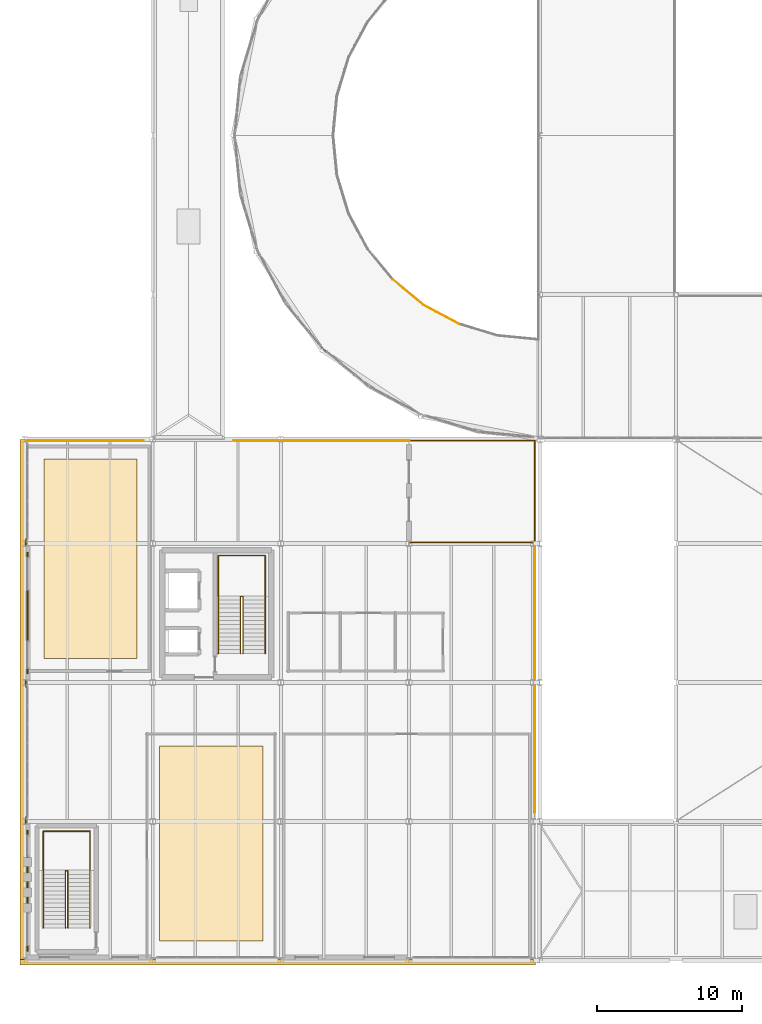
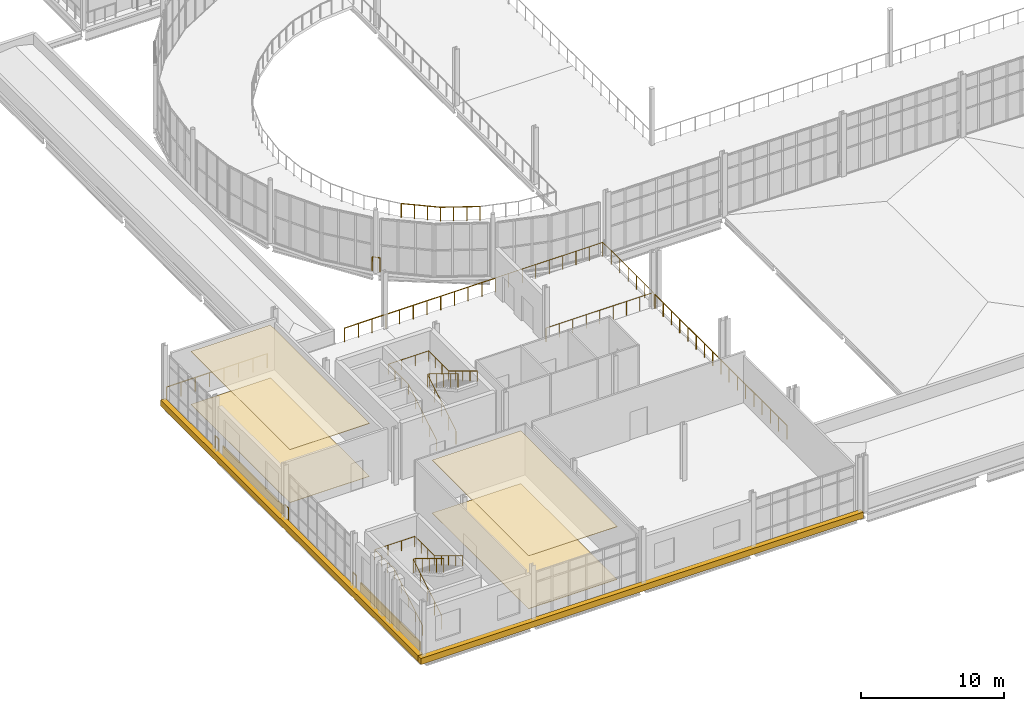
# One storey, part 102 of 112: 14 railings, 8 coverings.
"""IFC4 building model written with IfcOpenShell, lengths in metres."""

from ifc_helpers import new_model, si_unit, direction, frame, origin, origin_2d, place, context, subcontext, project, spatial, polyline, rectangle, circle, outline, extrude, material, layer, layer_set, type_object, element, save


model = new_model("IFC4")

# Units and contexts
model_context = context("Model", 3, precision=1e-05, world=origin(), true_north=direction((0.0, 1.0)))
body_context = subcontext(model_context, "Body", "Model", "MODEL_VIEW")
ifc_project = project(units=[si_unit("LENGTHUNIT", "METRE"), si_unit("AREAUNIT", "SQUARE_METRE"), si_unit("VOLUMEUNIT", "CUBIC_METRE"), si_unit("PLANEANGLEUNIT", "RADIAN"), si_unit("MASSUNIT", "GRAM", prefix="KILO")], contexts=[model_context])

# Site, building, storey
site_placement = place(None, origin())
site = spatial("IfcSite", under=ifc_project, at=site_placement, CompositionType="ELEMENT")
building_placement = place(site_placement, origin())
building = spatial("IfcBuilding", under=site, at=building_placement, Name="Yeouljin Market Hall", CompositionType="ELEMENT")
storey_placement = place(building_placement, frame((0.0, 0.0, 6.0)))
storey = spatial("IfcBuildingStorey", under=building, at=storey_placement, Name="L01", CompositionType="ELEMENT", Elevation=6.0)

# Coverings
ifc_material_1 = material(Name="Clinker Brick Masonry F2-S2", Category="masonry")
ifc_layer_1 = layer(ifc_material_1, 0.090087890625)
ifc_layer_set_1 = layer_set([ifc_layer_1], Name="Clinker Brick Masonry F2-S2")
covering_type_1 = type_object("IfcCoveringType", Name="Covering_Brick_FacadeCladding", PredefinedType="CLADDING", material=ifc_layer_set_1)
covering_1_placement = place(storey_placement, frame((0.199951171875, 4.824951171875, 0.074951171875), z_axis=(0.0, 0.0, 1.0), x_axis=(0.0, 1.0, 0.0)))
element("IfcCovering", 1, at=covering_1_placement, inside=storey, type_object=covering_type_1, Name="Muizentand clinker brick spandrel band L01-05", PredefinedType="CLADDING", context=body_context, shape_type="SweptSolid", body=[
    extrude(rectangle(XDim=8.35009765625, YDim=0.090087890625, at=origin_2d()), origin(), (0.0, 0.0, 1.0), 0.75),
])
covering_2_placement = place(storey_placement, frame((0.199951171875, 24.0, 0.074951171875), z_axis=(0.0, 0.0, 1.0), x_axis=(0.0, 1.0, 0.0)))
element("IfcCovering", 2, at=covering_2_placement, inside=storey, type_object=covering_type_1, Name="Muizentand clinker brick spandrel band L01-07", PredefinedType="CLADDING", context=body_context, shape_type="SweptSolid", body=[
    extrude(rectangle(XDim=8.39990234375, YDim=0.090087890625, at=origin_2d()), origin(), (0.0, 0.0, 1.0), 0.75),
])
ifc_material_2 = material(Name="Clinker Brick Masonry F2-S2", Category="masonry")
ifc_layer_2 = layer(ifc_material_2, 0.360107421875)
ifc_layer_set_2 = layer_set([ifc_layer_2], Name="Clinker Brick Masonry F2-S2")
covering_type_2 = type_object("IfcCoveringType", Name="Covering_Clinker_SpandrelHood", PredefinedType="CLADDING", material=ifc_layer_set_2)
covering_3_placement = place(storey_placement, frame((0.0, 0.0, -0.35009765625)))
element("IfcCovering", 3, at=covering_3_placement, inside=storey, type_object=covering_type_2, Name="Corbelled brick spandrel hood SW-01", PredefinedType="CLADDING", context=body_context, shape_type="SweptSolid", body=[
    extrude(outline(polyline([(-0.320068359375, -0.320068359375), (35.300048828125, -0.320068359375), (35.300048828125, 0.080078125), (-0.320068359375, 0.080078125), (-0.320068359375, -0.320068359375)])), origin(), (0.0, 0.0, 1.0), 0.52001953125),
])
covering_4_placement = place(storey_placement, frame((0.0, 0.0, -0.35009765625)))
element("IfcCovering", 4, at=covering_4_placement, inside=storey, type_object=covering_type_2, Name="Corbelled brick spandrel hood WW-03", PredefinedType="CLADDING", context=body_context, shape_type="SweptSolid", body=[
    extrude(outline(polyline([(-0.320068359375, 0.0), (0.080078125, 0.0), (0.080078125, 36.0), (-0.320068359375, 36.0), (-0.320068359375, 0.0)])), origin(), (0.0, 0.0, 1.0), 0.52001953125),
])
ifc_material_3 = material(Name="Polished Mineral Terrazzo Flooring")
ifc_layer_3 = layer(ifc_material_3, 0.030029296875)
ifc_layer_set_3 = layer_set([ifc_layer_3], Name="Polished Mineral Terrazzo Flooring")
covering_type_3 = type_object("IfcCoveringType", Name="Covering_Terrazzo_Flooring", PredefinedType="FLOORING", material=ifc_layer_set_3)
covering_5_placement = place(storey_placement, origin())
element("IfcCovering", 5, at=covering_5_placement, inside=storey, type_object=covering_type_3, Name="Polished terrazzo floor finish L01-03", PredefinedType="FLOORING", context=body_context, shape_type="SweptSolid", body=[
    extrude(outline(polyline([(16.449951171875, 1.35009765625), (16.449951171875, 14.800048828125), (9.31005859375, 14.800048828125), (9.31005859375, 1.35009765625), (16.449951171875, 1.35009765625)])), origin(), (0.0, 0.0, 1.0), 0.030029296875),
])
covering_6_placement = place(storey_placement, origin())
element("IfcCovering", 6, at=covering_6_placement, inside=storey, type_object=covering_type_3, Name="Polished terrazzo floor finish L01-04", PredefinedType="FLOORING", context=body_context, shape_type="SweptSolid", body=[
    extrude(outline(polyline([(7.75, 20.85009765625), (7.75, 34.64990234375), (1.35009765625, 34.64990234375), (1.35009765625, 20.85009765625), (7.75, 20.85009765625)])), origin(), (0.0, 0.0, 1.0), 0.030029296875),
])
ifc_material_4 = material(Name="Perforated Larch Acoustic Ceiling Baffle")
ifc_layer_4 = layer(ifc_material_4, 0.0400390625)
ifc_layer_set_4 = layer_set([ifc_layer_4], Name="Perforated Larch Acoustic Ceiling Baffle")
covering_type_4 = type_object("IfcCoveringType", Name="Covering_TimberAcoustic_Ceiling", PredefinedType="CEILING", material=ifc_layer_set_4)
covering_7_placement = place(storey_placement, frame((0.0, 0.0, 4.4951171875)))
element("IfcCovering", 7, at=covering_7_placement, inside=storey, type_object=covering_type_4, Name="Acoustic larch baffle ceiling L01-03", PredefinedType="CEILING", context=body_context, shape_type="SweptSolid", body=[
    extrude(outline(polyline([(16.449951171875, 1.35009765625), (16.449951171875, 14.800048828125), (9.31005859375, 14.800048828125), (9.31005859375, 1.35009765625), (16.449951171875, 1.35009765625)])), origin(), (0.0, 0.0, 1.0), 0.039794921875),
])
covering_8_placement = place(storey_placement, frame((0.0, 0.0, 4.4951171875)))
element("IfcCovering", 8, at=covering_8_placement, inside=storey, type_object=covering_type_4, Name="Acoustic larch baffle ceiling L01-04", PredefinedType="CEILING", context=body_context, shape_type="SweptSolid", body=[
    extrude(outline(polyline([(7.75, 20.85009765625), (7.75, 34.64990234375), (1.35009765625, 34.64990234375), (1.35009765625, 20.85009765625), (7.75, 20.85009765625)])), origin(), (0.0, 0.0, 1.0), 0.039794921875),
])

# Railings
ifc_material_5 = material(Name="Wrought Iron and Bronze Gallery Balustrade")
railing_type_1 = type_object("IfcRailingType", Name="Railing_AtriumBalustrade_1200", PredefinedType="BALUSTRADE", material=ifc_material_5)
railing_1_placement = place(storey_placement, frame((20.839599609375, 42.04296875, 0.0)))
element("IfcRailing", 9, at=railing_1_placement, inside=storey, type_object=railing_type_1, Name="Gallery & deck edge balustrade L01-066", PredefinedType="BALUSTRADE", context=body_context, shape_type="SweptSolid", body=[
    extrude(circle(Radius=0.02392578125, at=origin_2d()), frame((0.0, 0.0, 1.17578125), z_axis=(-0.706889109421, 0.707324385966, 0.0), x_axis=(-0.707324385966, -0.706889109421, 0.0)), (0.0, 0.0, 1.0), 0.560791015625),
    extrude(circle(Radius=0.02099609375, at=origin_2d()), origin(), (0.0, 0.0, 1.0), 1.15185546875),
    extrude(circle(Radius=0.02099609375, at=origin_2d()), frame((-0.396484375, 0.396728515625, 0.0)), (0.0, 0.0, 1.0), 1.15185546875),
])
railing_2_placement = place(storey_placement, frame((25.429443359375, 47.029296875, 0.0)))
element("IfcRailing", 10, at=railing_2_placement, inside=storey, type_object=railing_type_1, Name="Gallery & deck edge balustrade L01-124", PredefinedType="BALUSTRADE", context=body_context, shape_type="SweptSolid", body=[
    extrude(circle(Radius=0.02392578125, at=origin_2d()), frame((0.0, 0.0, 1.17578125), z_axis=(0.773035608999, -0.634362630693, 0.0), x_axis=(0.634362630693, 0.773035608999, 0.0)), (0.0, 0.0, 1.0), 2.76416015625),
    extrude(circle(Radius=0.02099609375, at=origin_2d()), origin(), (0.0, 0.0, 1.0), 1.15185546875),
    extrude(circle(Radius=0.02099609375, at=origin_2d()), frame((0.712158203125, -0.58447265625, 0.0)), (0.0, 0.0, 1.0), 1.15185546875),
    extrude(circle(Radius=0.02099609375, at=origin_2d()), frame((1.424560546875, -1.1689453125, 0.0)), (0.0, 0.0, 1.0), 1.15185546875),
    extrude(circle(Radius=0.02099609375, at=origin_2d()), frame((2.13671875, -1.75341796875, 0.0)), (0.0, 0.0, 1.0), 1.15185546875),
])
railing_3_placement = place(storey_placement, frame((27.566162109375, 45.27587890625, 0.0)))
element("IfcRailing", 11, at=railing_3_placement, inside=storey, type_object=railing_type_1, Name="Gallery & deck edge balustrade L01-125", PredefinedType="BALUSTRADE", context=body_context, shape_type="SweptSolid", body=[
    extrude(circle(Radius=0.02392578125, at=origin_2d()), frame((0.0, 0.0, 1.17578125), z_axis=(0.88192470469, -0.471390300343, 0.0), x_axis=(0.471390300343, 0.88192470469, 0.0)), (0.0, 0.0, 1.0), 2.76416015625),
    extrude(circle(Radius=0.02099609375, at=origin_2d()), origin(), (0.0, 0.0, 1.0), 1.15185546875),
    extrude(circle(Radius=0.02099609375, at=origin_2d()), frame((0.8125, -0.434326171875, 0.0)), (0.0, 0.0, 1.0), 1.15185546875),
    extrude(circle(Radius=0.02099609375, at=origin_2d()), frame((1.625244140625, -0.86865234375, 0.0)), (0.0, 0.0, 1.0), 1.15185546875),
    extrude(circle(Radius=0.02099609375, at=origin_2d()), frame((2.437744140625, -1.302978515625, 0.0)), (0.0, 0.0, 1.0), 1.15185546875),
])
railing_4_placement = place(storey_placement, frame((35.219970703125, 28.60009765625, 0.0)))
element("IfcRailing", 12, at=railing_4_placement, inside=storey, type_object=railing_type_1, Name="Gallery & deck edge balustrade L01-145", PredefinedType="BALUSTRADE", context=body_context, shape_type="SweptSolid", body=[
    extrude(circle(Radius=0.02392578125, at=origin_2d()), frame((0.0, 0.0, 1.17578125), z_axis=(0.0, -1.0, 0.0), x_axis=(1.0, 0.0, 0.0)), (0.0, 0.0, 1.0), 18.3759765625),
    extrude(circle(Radius=0.02099609375, at=origin_2d()), origin(), (0.0, 0.0, 1.0), 1.15185546875),
    extrude(circle(Radius=0.02099609375, at=origin_2d()), frame((0.0, -1.1484375, 0.0)), (0.0, 0.0, 1.0), 1.15185546875),
    extrude(circle(Radius=0.02099609375, at=origin_2d()), frame((0.0, -2.296875, 0.0)), (0.0, 0.0, 1.0), 1.15185546875),
    extrude(circle(Radius=0.02099609375, at=origin_2d()), frame((0.0, -3.445556640625, 0.0)), (0.0, 0.0, 1.0), 1.15185546875),
    extrude(circle(Radius=0.02099609375, at=origin_2d()), frame((0.0, -4.593994140625, 0.0)), (0.0, 0.0, 1.0), 1.15185546875),
    extrude(circle(Radius=0.02099609375, at=origin_2d()), frame((0.0, -5.742431640625, 0.0)), (0.0, 0.0, 1.0), 1.15185546875),
    extrude(circle(Radius=0.02099609375, at=origin_2d()), frame((0.0, -6.89111328125, 0.0)), (0.0, 0.0, 1.0), 1.15185546875),
    extrude(circle(Radius=0.02099609375, at=origin_2d()), frame((0.0, -8.03955078125, 0.0)), (0.0, 0.0, 1.0), 1.15185546875),
    extrude(circle(Radius=0.02099609375, at=origin_2d()), frame((0.0, -9.18798828125, 0.0)), (0.0, 0.0, 1.0), 1.15185546875),
    extrude(circle(Radius=0.02099609375, at=origin_2d()), frame((0.0, -10.33642578125, 0.0)), (0.0, 0.0, 1.0), 1.15185546875),
    extrude(circle(Radius=0.02099609375, at=origin_2d()), frame((0.0, -11.48486328125, 0.0)), (0.0, 0.0, 1.0), 1.15185546875),
    extrude(circle(Radius=0.02099609375, at=origin_2d()), frame((0.0, -12.633544921875, 0.0)), (0.0, 0.0, 1.0), 1.15185546875),
    extrude(circle(Radius=0.02099609375, at=origin_2d()), frame((0.0, -13.781982421875, 0.0)), (0.0, 0.0, 1.0), 1.15185546875),
    extrude(circle(Radius=0.02099609375, at=origin_2d()), frame((0.0, -14.930419921875, 0.0)), (0.0, 0.0, 1.0), 1.15185546875),
    extrude(circle(Radius=0.02099609375, at=origin_2d()), frame((0.0, -16.0791015625, 0.0)), (0.0, 0.0, 1.0), 1.15185546875),
    extrude(circle(Radius=0.02099609375, at=origin_2d()), frame((0.0, -17.2275390625, 0.0)), (0.0, 0.0, 1.0), 1.15185546875),
    extrude(circle(Radius=0.02099609375, at=origin_2d()), frame((0.0, -18.3759765625, 0.0)), (0.0, 0.0, 1.0), 1.15185546875),
])
railing_5_placement = place(storey_placement, frame((0.10009765625, 9.41796875, 0.0)))
element("IfcRailing", 13, at=railing_5_placement, inside=storey, type_object=railing_type_1, Name="Gallery & deck edge balustrade L01-146", PredefinedType="BALUSTRADE", context=body_context, shape_type="SweptSolid", body=[
    extrude(circle(Radius=0.02392578125, at=origin_2d()), frame((0.0, 0.0, 1.17578125), z_axis=(0.0, 1.0, 0.0), x_axis=(-1.0, 0.0, 0.0)), (0.0, 0.0, 1.0), 0.48193359375),
    extrude(circle(Radius=0.02099609375, at=origin_2d()), origin(), (0.0, 0.0, 1.0), 1.15185546875),
    extrude(circle(Radius=0.02099609375, at=origin_2d()), frame((0.0, 0.48193359375, 0.0)), (0.0, 0.0, 1.0), 1.15185546875),
])
for number, where, name in (
    (14, (0.10009765625, 18.89990234375, 0.0), "Gallery & deck edge balustrade L01-147"),
    (15, (0.10009765625, 28.617919921875, 0.0), "Gallery & deck edge balustrade L01-148"),
):
    element("IfcRailing", number, at=place(storey_placement, frame(where)), inside=storey, type_object=railing_type_1, Name=name, PredefinedType="BALUSTRADE", context=body_context, shape_type="SweptSolid", body=[
        extrude(circle(Radius=0.02392578125, at=origin_2d()), frame((0.0, 0.0, 1.17578125), z_axis=(0.0, 1.0, 0.0), x_axis=(-1.0, 0.0, 0.0)), (0.0, 0.0, 1.0), 0.482177734375),
        extrude(circle(Radius=0.02099609375, at=origin_2d()), origin(), (0.0, 0.0, 1.0), 1.15185546875),
        extrude(circle(Radius=0.02099609375, at=origin_2d()), frame((0.0, 0.482177734375, 0.0)), (0.0, 0.0, 1.0), 1.15185546875),
    ])
railing_6_placement = place(storey_placement, frame((0.10009765625, 35.89990234375, 0.0)))
element("IfcRailing", 16, at=railing_6_placement, inside=storey, type_object=railing_type_1, Name="Gallery & deck edge balustrade L01-149", PredefinedType="BALUSTRADE", context=body_context, shape_type="SweptSolid", body=[
    extrude(circle(Radius=0.02392578125, at=origin_2d()), frame((0.0, 0.0, 1.17578125), z_axis=(1.0, 0.0, 0.0), x_axis=(0.0, 1.0, 0.0)), (0.0, 0.0, 1.0), 8.1083984375),
    extrude(circle(Radius=0.02099609375, at=origin_2d()), origin(), (0.0, 0.0, 1.0), 1.15185546875),
    extrude(circle(Radius=0.02099609375, at=origin_2d()), frame((1.158447265625, 0.0, 0.0)), (0.0, 0.0, 1.0), 1.15185546875),
    extrude(circle(Radius=0.02099609375, at=origin_2d()), frame((2.316650390625, 0.0, 0.0)), (0.0, 0.0, 1.0), 1.15185546875),
    extrude(circle(Radius=0.02099609375, at=origin_2d()), frame((3.47509765625, 0.0, 0.0)), (0.0, 0.0, 1.0), 1.15185546875),
    extrude(circle(Radius=0.02099609375, at=origin_2d()), frame((4.63330078125, 0.0, 0.0)), (0.0, 0.0, 1.0), 1.15185546875),
    extrude(circle(Radius=0.02099609375, at=origin_2d()), frame((5.791748046875, 0.0, 0.0)), (0.0, 0.0, 1.0), 1.15185546875),
    extrude(circle(Radius=0.02099609375, at=origin_2d()), frame((6.949951171875, 0.0, 0.0)), (0.0, 0.0, 1.0), 1.15185546875),
    extrude(circle(Radius=0.02099609375, at=origin_2d()), frame((8.1083984375, 0.0, 0.0)), (0.0, 0.0, 1.0), 1.15185546875),
])
railing_7_placement = place(storey_placement, frame((14.44140625, 35.89990234375, 0.0)))
element("IfcRailing", 17, at=railing_7_placement, inside=storey, type_object=railing_type_1, Name="Gallery & deck edge balustrade L01-150", PredefinedType="BALUSTRADE", context=body_context, shape_type="SweptSolid", body=[
    extrude(circle(Radius=0.02392578125, at=origin_2d()), frame((0.0, 0.0, 1.17578125), z_axis=(1.0, 0.0, 0.0), x_axis=(0.0, 1.0, 0.0)), (0.0, 0.0, 1.0), 12.15869140625),
    extrude(circle(Radius=0.02099609375, at=origin_2d()), origin(), (0.0, 0.0, 1.0), 1.15185546875),
    extrude(circle(Radius=0.02099609375, at=origin_2d()), frame((1.105224609375, 0.0, 0.0)), (0.0, 0.0, 1.0), 1.15185546875),
    extrude(circle(Radius=0.02099609375, at=origin_2d()), frame((2.210693359375, 0.0, 0.0)), (0.0, 0.0, 1.0), 1.15185546875),
    extrude(circle(Radius=0.02099609375, at=origin_2d()), frame((3.31591796875, 0.0, 0.0)), (0.0, 0.0, 1.0), 1.15185546875),
    extrude(circle(Radius=0.02099609375, at=origin_2d()), frame((4.42138671875, 0.0, 0.0)), (0.0, 0.0, 1.0), 1.15185546875),
    extrude(circle(Radius=0.02099609375, at=origin_2d()), frame((5.526611328125, 0.0, 0.0)), (0.0, 0.0, 1.0), 1.15185546875),
    extrude(circle(Radius=0.02099609375, at=origin_2d()), frame((6.632080078125, 0.0, 0.0)), (0.0, 0.0, 1.0), 1.15185546875),
    extrude(circle(Radius=0.02099609375, at=origin_2d()), frame((7.7373046875, 0.0, 0.0)), (0.0, 0.0, 1.0), 1.15185546875),
    extrude(circle(Radius=0.02099609375, at=origin_2d()), frame((8.8427734375, 0.0, 0.0)), (0.0, 0.0, 1.0), 1.15185546875),
    extrude(circle(Radius=0.02099609375, at=origin_2d()), frame((9.947998046875, 0.0, 0.0)), (0.0, 0.0, 1.0), 1.15185546875),
    extrude(circle(Radius=0.02099609375, at=origin_2d()), frame((11.053466796875, 0.0, 0.0)), (0.0, 0.0, 1.0), 1.15185546875),
    extrude(circle(Radius=0.02099609375, at=origin_2d()), frame((12.15869140625, 0.0, 0.0)), (0.0, 0.0, 1.0), 1.15185546875),
])
ifc_material_6 = material(Name="Painted Steel Stair Guardrail", Category="steel")
railing_type_2 = type_object("IfcRailingType", Name="Railing_StairGuard_1200", PredefinedType="GUARDRAIL", material=ifc_material_6)
railing_8_placement = place(storey_placement, frame((14.919921875, 21.199951171875, 0.0)))
element("IfcRailing", 18, at=railing_8_placement, inside=storey, type_object=railing_type_2, Name="Stair ST-C1-L01 inner well guardrail", PredefinedType="GUARDRAIL", context=body_context, shape_type="SweptSolid", body=[
    extrude(circle(Radius=0.02392578125, at=origin_2d()), frame((0.0, 0.0, 1.17578125), z_axis=(0.0, 0.854622603422, 0.519249656446), x_axis=(-1.0, 0.0, 0.0)), (0.0, 0.0, 1.0), 4.621826171875),
    extrude(circle(Radius=0.02392578125, at=origin_2d()), frame((0.0, 3.949951171875, 3.57568359375), z_axis=(1.0, 0.0, 0.0), x_axis=(0.0, 1.0, 0.0)), (0.0, 0.0, 1.0), 0.16015625),
    extrude(circle(Radius=0.02392578125, at=origin_2d()), frame((0.16015625, 3.949951171875, 3.57568359375), z_axis=(0.0, -0.854599162348, 0.519288235679), x_axis=(1.0, 0.0, 0.0)), (0.0, 0.0, 1.0), 4.6220703125),
    extrude(circle(Radius=0.02099609375, at=origin_2d()), origin(), (0.0, 0.0, 1.0), 1.15185546875),
    extrude(circle(Radius=0.02099609375, at=origin_2d()), frame((0.0, 0.987548828125, 0.60009765625)), (0.0, 0.0, 1.0), 1.15185546875),
    extrude(circle(Radius=0.02099609375, at=origin_2d()), frame((0.0, 1.97509765625, 1.199951171875)), (0.0, 0.0, 1.0), 1.15185546875),
    extrude(circle(Radius=0.02099609375, at=origin_2d()), frame((0.0, 2.96240234375, 1.7998046875)), (0.0, 0.0, 1.0), 1.15185546875),
    extrude(circle(Radius=0.02099609375, at=origin_2d()), frame((0.0, 3.949951171875, 2.39990234375)), (0.0, 0.0, 1.0), 1.15185546875),
    extrude(circle(Radius=0.02099609375, at=origin_2d()), frame((0.16015625, 3.949951171875, 2.39990234375)), (0.0, 0.0, 1.0), 1.15185546875),
    extrude(circle(Radius=0.02099609375, at=origin_2d()), frame((0.16015625, 2.96240234375, 3.0)), (0.0, 0.0, 1.0), 1.15185546875),
    extrude(circle(Radius=0.02099609375, at=origin_2d()), frame((0.16015625, 1.97509765625, 3.60009765625)), (0.0, 0.0, 1.0), 1.15185546875),
    extrude(circle(Radius=0.02099609375, at=origin_2d()), frame((0.16015625, 0.987548828125, 4.199951171875)), (0.0, 0.0, 1.0), 1.15185546875),
    extrude(circle(Radius=0.02099609375, at=origin_2d()), frame((0.16015625, 0.0, 4.800048828125)), (0.0, 0.0, 1.0), 1.15185546875),
])
railing_9_placement = place(storey_placement, frame((2.820068359375, 2.25, 0.0)))
element("IfcRailing", 19, at=railing_9_placement, inside=storey, type_object=railing_type_2, Name="Stair ST-S7-L01 inner well guardrail", PredefinedType="GUARDRAIL", context=body_context, shape_type="SweptSolid", body=[
    extrude(circle(Radius=0.02392578125, at=origin_2d()), frame((0.0, 0.0, 1.17578125), z_axis=(0.0, 0.854622603422, 0.519249656446), x_axis=(-1.0, 0.0, 0.0)), (0.0, 0.0, 1.0), 4.621826171875),
    extrude(circle(Radius=0.02392578125, at=origin_2d()), frame((0.0, 3.949951171875, 3.57568359375), z_axis=(1.0, 0.0, 0.0), x_axis=(0.0, 1.0, 0.0)), (0.0, 0.0, 1.0), 0.159912109375),
    extrude(circle(Radius=0.02392578125, at=origin_2d()), frame((0.159912109375, 3.949951171875, 3.57568359375), z_axis=(0.0, -0.854599162348, 0.519288235679), x_axis=(1.0, 0.0, 0.0)), (0.0, 0.0, 1.0), 4.6220703125),
    extrude(circle(Radius=0.02099609375, at=origin_2d()), origin(), (0.0, 0.0, 1.0), 1.15185546875),
    extrude(circle(Radius=0.02099609375, at=origin_2d()), frame((0.0, 0.987548828125, 0.60009765625)), (0.0, 0.0, 1.0), 1.15185546875),
    extrude(circle(Radius=0.02099609375, at=origin_2d()), frame((0.0, 1.97509765625, 1.199951171875)), (0.0, 0.0, 1.0), 1.15185546875),
    extrude(circle(Radius=0.02099609375, at=origin_2d()), frame((0.0, 2.96240234375, 1.7998046875)), (0.0, 0.0, 1.0), 1.15185546875),
    extrude(circle(Radius=0.02099609375, at=origin_2d()), frame((0.0, 3.949951171875, 2.39990234375)), (0.0, 0.0, 1.0), 1.15185546875),
    extrude(circle(Radius=0.02099609375, at=origin_2d()), frame((0.159912109375, 3.949951171875, 2.39990234375)), (0.0, 0.0, 1.0), 1.15185546875),
    extrude(circle(Radius=0.02099609375, at=origin_2d()), frame((0.159912109375, 2.96240234375, 3.0)), (0.0, 0.0, 1.0), 1.15185546875),
    extrude(circle(Radius=0.02099609375, at=origin_2d()), frame((0.159912109375, 1.97509765625, 3.60009765625)), (0.0, 0.0, 1.0), 1.15185546875),
    extrude(circle(Radius=0.02099609375, at=origin_2d()), frame((0.159912109375, 0.987548828125, 4.199951171875)), (0.0, 0.0, 1.0), 1.15185546875),
    extrude(circle(Radius=0.02099609375, at=origin_2d()), frame((0.159912109375, 0.0, 4.800048828125)), (0.0, 0.0, 1.0), 1.15185546875),
])
ifc_material_7 = material(Name="Brushed Stainless Steel", Category="steel")
railing_type_3 = type_object("IfcRailingType", Name="Railing_StairHandrail_900", PredefinedType="HANDRAIL", material=ifc_material_7)
railing_10_placement = place(storey_placement, frame((13.3798828125, 21.199951171875, 0.0)))
element("IfcRailing", 20, at=railing_10_placement, inside=storey, type_object=railing_type_3, Name="Stair ST-C1-L01 wall handrail", PredefinedType="HANDRAIL", context=body_context, shape_type="SweptSolid", body=[
    extrude(circle(Radius=0.02392578125, at=origin_2d()), frame((0.0, 0.0, 0.8759765625), z_axis=(0.0, 0.854622603422, 0.519249656446), x_axis=(-1.0, 0.0, 0.0)), (0.0, 0.0, 1.0), 4.621826171875),
    extrude(circle(Radius=0.02392578125, at=origin_2d()), frame((0.0, 3.949951171875, 3.27587890625), z_axis=(0.0, 1.0, 0.0), x_axis=(-1.0, 0.0, 0.0)), (0.0, 0.0, 1.0), 2.820068359375),
    extrude(circle(Radius=0.02392578125, at=origin_2d()), frame((0.0, 6.77001953125, 3.27587890625), z_axis=(1.0, 0.0, 0.0), x_axis=(0.0, 1.0, 0.0)), (0.0, 0.0, 1.0), 3.240234375),
    extrude(circle(Radius=0.02392578125, at=origin_2d()), frame((3.240234375, 6.77001953125, 3.27587890625), z_axis=(0.0, -1.0, 0.0), x_axis=(1.0, 0.0, 0.0)), (0.0, 0.0, 1.0), 2.820068359375),
    extrude(circle(Radius=0.02392578125, at=origin_2d()), frame((3.240234375, 3.949951171875, 3.27587890625), z_axis=(0.0, -0.854599162348, 0.519288235679), x_axis=(1.0, 0.0, 0.0)), (0.0, 0.0, 1.0), 4.6220703125),
    extrude(circle(Radius=0.02099609375, at=origin_2d()), origin(), (0.0, 0.0, 1.0), 0.851806640625),
    extrude(circle(Radius=0.02099609375, at=origin_2d()), frame((0.0, 0.987548828125, 0.60009765625)), (0.0, 0.0, 1.0), 0.851806640625),
    extrude(circle(Radius=0.02099609375, at=origin_2d()), frame((0.0, 1.97509765625, 1.199951171875)), (0.0, 0.0, 1.0), 0.851806640625),
    extrude(circle(Radius=0.02099609375, at=origin_2d()), frame((0.0, 2.96240234375, 1.7998046875)), (0.0, 0.0, 1.0), 0.851806640625),
    extrude(circle(Radius=0.02099609375, at=origin_2d()), frame((0.0, 3.949951171875, 2.39990234375)), (0.0, 0.0, 1.0), 0.851806640625),
    extrude(circle(Radius=0.02099609375, at=origin_2d()), frame((0.0, 4.889892578125, 2.39990234375)), (0.0, 0.0, 1.0), 0.851806640625),
    extrude(circle(Radius=0.02099609375, at=origin_2d()), frame((0.0, 5.830078125, 2.39990234375)), (0.0, 0.0, 1.0), 0.851806640625),
    extrude(circle(Radius=0.02099609375, at=origin_2d()), frame((0.0, 6.77001953125, 2.39990234375)), (0.0, 0.0, 1.0), 0.851806640625),
    extrude(circle(Radius=0.02099609375, at=origin_2d()), frame((1.080078125, 6.77001953125, 2.39990234375)), (0.0, 0.0, 1.0), 0.851806640625),
    extrude(circle(Radius=0.02099609375, at=origin_2d()), frame((2.16015625, 6.77001953125, 2.39990234375)), (0.0, 0.0, 1.0), 0.851806640625),
    extrude(circle(Radius=0.02099609375, at=origin_2d()), frame((3.240234375, 6.77001953125, 2.39990234375)), (0.0, 0.0, 1.0), 0.851806640625),
    extrude(circle(Radius=0.02099609375, at=origin_2d()), frame((3.240234375, 5.830078125, 2.39990234375)), (0.0, 0.0, 1.0), 0.851806640625),
    extrude(circle(Radius=0.02099609375, at=origin_2d()), frame((3.240234375, 4.889892578125, 2.39990234375)), (0.0, 0.0, 1.0), 0.851806640625),
    extrude(circle(Radius=0.02099609375, at=origin_2d()), frame((3.240234375, 3.949951171875, 2.39990234375)), (0.0, 0.0, 1.0), 0.851806640625),
    extrude(circle(Radius=0.02099609375, at=origin_2d()), frame((3.240234375, 2.96240234375, 3.0)), (0.0, 0.0, 1.0), 0.851806640625),
    extrude(circle(Radius=0.02099609375, at=origin_2d()), frame((3.240234375, 1.97509765625, 3.60009765625)), (0.0, 0.0, 1.0), 0.851806640625),
    extrude(circle(Radius=0.02099609375, at=origin_2d()), frame((3.240234375, 0.987548828125, 4.199951171875)), (0.0, 0.0, 1.0), 0.851806640625),
    extrude(circle(Radius=0.02099609375, at=origin_2d()), frame((3.240234375, 0.0, 4.800048828125)), (0.0, 0.0, 1.0), 0.851806640625),
])
railing_11_placement = place(storey_placement, frame((1.280029296875, 2.25, 0.0)))
element("IfcRailing", 21, at=railing_11_placement, inside=storey, type_object=railing_type_3, Name="Stair ST-S7-L01 wall handrail", PredefinedType="HANDRAIL", context=body_context, shape_type="SweptSolid", body=[
    extrude(circle(Radius=0.02392578125, at=origin_2d()), frame((0.0, 0.0, 0.8759765625), z_axis=(0.0, 0.854622603422, 0.519249656446), x_axis=(-1.0, 0.0, 0.0)), (0.0, 0.0, 1.0), 4.621826171875),
    extrude(circle(Radius=0.02392578125, at=origin_2d()), frame((0.0, 3.949951171875, 3.27587890625), z_axis=(0.0, 1.0, 0.0), x_axis=(-1.0, 0.0, 0.0)), (0.0, 0.0, 1.0), 2.719970703125),
    extrude(circle(Radius=0.02392578125, at=origin_2d()), frame((0.0, 6.669921875, 3.27587890625), z_axis=(1.0, 0.0, 0.0), x_axis=(0.0, 1.0, 0.0)), (0.0, 0.0, 1.0), 3.239990234375),
    extrude(circle(Radius=0.02392578125, at=origin_2d()), frame((3.239990234375, 6.669921875, 3.27587890625), z_axis=(0.0, -1.0, 0.0), x_axis=(1.0, 0.0, 0.0)), (0.0, 0.0, 1.0), 2.719970703125),
    extrude(circle(Radius=0.02392578125, at=origin_2d()), frame((3.239990234375, 3.949951171875, 3.27587890625), z_axis=(0.0, -0.854599162348, 0.519288235679), x_axis=(1.0, 0.0, 0.0)), (0.0, 0.0, 1.0), 4.6220703125),
    extrude(circle(Radius=0.02099609375, at=origin_2d()), origin(), (0.0, 0.0, 1.0), 0.851806640625),
    extrude(circle(Radius=0.02099609375, at=origin_2d()), frame((0.0, 0.987548828125, 0.60009765625)), (0.0, 0.0, 1.0), 0.851806640625),
    extrude(circle(Radius=0.02099609375, at=origin_2d()), frame((0.0, 1.97509765625, 1.199951171875)), (0.0, 0.0, 1.0), 0.851806640625),
    extrude(circle(Radius=0.02099609375, at=origin_2d()), frame((0.0, 2.96240234375, 1.7998046875)), (0.0, 0.0, 1.0), 0.851806640625),
    extrude(circle(Radius=0.02099609375, at=origin_2d()), frame((0.0, 3.949951171875, 2.39990234375)), (0.0, 0.0, 1.0), 0.851806640625),
    extrude(circle(Radius=0.02099609375, at=origin_2d()), frame((0.0, 4.856689453125, 2.39990234375)), (0.0, 0.0, 1.0), 0.851806640625),
    extrude(circle(Radius=0.02099609375, at=origin_2d()), frame((0.0, 5.76318359375, 2.39990234375)), (0.0, 0.0, 1.0), 0.851806640625),
    extrude(circle(Radius=0.02099609375, at=origin_2d()), frame((0.0, 6.669921875, 2.39990234375)), (0.0, 0.0, 1.0), 0.851806640625),
    extrude(circle(Radius=0.02099609375, at=origin_2d()), frame((1.080078125, 6.669921875, 2.39990234375)), (0.0, 0.0, 1.0), 0.851806640625),
    extrude(circle(Radius=0.02099609375, at=origin_2d()), frame((2.159912109375, 6.669921875, 2.39990234375)), (0.0, 0.0, 1.0), 0.851806640625),
    extrude(circle(Radius=0.02099609375, at=origin_2d()), frame((3.239990234375, 6.669921875, 2.39990234375)), (0.0, 0.0, 1.0), 0.851806640625),
    extrude(circle(Radius=0.02099609375, at=origin_2d()), frame((3.239990234375, 5.76318359375, 2.39990234375)), (0.0, 0.0, 1.0), 0.851806640625),
    extrude(circle(Radius=0.02099609375, at=origin_2d()), frame((3.239990234375, 4.856689453125, 2.39990234375)), (0.0, 0.0, 1.0), 0.851806640625),
    extrude(circle(Radius=0.02099609375, at=origin_2d()), frame((3.239990234375, 3.949951171875, 2.39990234375)), (0.0, 0.0, 1.0), 0.851806640625),
    extrude(circle(Radius=0.02099609375, at=origin_2d()), frame((3.239990234375, 2.96240234375, 3.0)), (0.0, 0.0, 1.0), 0.851806640625),
    extrude(circle(Radius=0.02099609375, at=origin_2d()), frame((3.239990234375, 1.97509765625, 3.60009765625)), (0.0, 0.0, 1.0), 0.851806640625),
    extrude(circle(Radius=0.02099609375, at=origin_2d()), frame((3.239990234375, 0.987548828125, 4.199951171875)), (0.0, 0.0, 1.0), 0.851806640625),
    extrude(circle(Radius=0.02099609375, at=origin_2d()), frame((3.239990234375, 0.0, 4.800048828125)), (0.0, 0.0, 1.0), 0.851806640625),
])
ifc_material_8 = material(Name="Architectural Bronze Balustrade")
railing_type_4 = type_object("IfcRailingType", Name="Railing_TerraceGuard_1200", PredefinedType="GUARDRAIL", material=ifc_material_8)
railing_12_placement = place(storey_placement, frame((26.60009765625, 28.8798828125, 0.0)))
element("IfcRailing", 22, at=railing_12_placement, inside=storey, type_object=railing_type_4, Name="West promenade terrace guardrail L01", PredefinedType="GUARDRAIL", context=body_context, shape_type="SweptSolid", body=[
    extrude(circle(Radius=0.02392578125, at=origin_2d()), frame((0.0, 0.0, 1.17578125), z_axis=(1.0, 0.0, 0.0), x_axis=(0.0, 1.0, 0.0)), (0.0, 0.0, 1.0), 8.639892578125),
    extrude(circle(Radius=0.02392578125, at=origin_2d()), frame((8.639892578125, 0.0, 1.17578125), z_axis=(0.0, 1.0, 0.0), x_axis=(-1.0, 0.0, 0.0)), (0.0, 0.0, 1.0), 7.0400390625),
    extrude(circle(Radius=0.02392578125, at=origin_2d()), frame((8.639892578125, 7.0400390625, 1.17578125), z_axis=(-1.0, 0.0, 0.0), x_axis=(0.0, -1.0, 0.0)), (0.0, 0.0, 1.0), 8.639892578125),
    extrude(circle(Radius=0.02099609375, at=origin_2d()), origin(), (0.0, 0.0, 1.0), 1.15185546875),
    extrude(circle(Radius=0.02099609375, at=origin_2d()), frame((1.080078125, 0.0, 0.0)), (0.0, 0.0, 1.0), 1.15185546875),
    extrude(circle(Radius=0.02099609375, at=origin_2d()), frame((2.159912109375, 0.0, 0.0)), (0.0, 0.0, 1.0), 1.15185546875),
    extrude(circle(Radius=0.02099609375, at=origin_2d()), frame((3.239990234375, 0.0, 0.0)), (0.0, 0.0, 1.0), 1.15185546875),
    extrude(circle(Radius=0.02099609375, at=origin_2d()), frame((4.31982421875, 0.0, 0.0)), (0.0, 0.0, 1.0), 1.15185546875),
    extrude(circle(Radius=0.02099609375, at=origin_2d()), frame((5.39990234375, 0.0, 0.0)), (0.0, 0.0, 1.0), 1.15185546875),
    extrude(circle(Radius=0.02099609375, at=origin_2d()), frame((6.47998046875, 0.0, 0.0)), (0.0, 0.0, 1.0), 1.15185546875),
    extrude(circle(Radius=0.02099609375, at=origin_2d()), frame((7.559814453125, 0.0, 0.0)), (0.0, 0.0, 1.0), 1.15185546875),
    extrude(circle(Radius=0.02099609375, at=origin_2d()), frame((8.639892578125, 0.0, 0.0)), (0.0, 0.0, 1.0), 1.15185546875),
    extrude(circle(Radius=0.02099609375, at=origin_2d()), frame((8.639892578125, 1.17333984375, 0.0)), (0.0, 0.0, 1.0), 1.15185546875),
    extrude(circle(Radius=0.02099609375, at=origin_2d()), frame((8.639892578125, 2.3466796875, 0.0)), (0.0, 0.0, 1.0), 1.15185546875),
    extrude(circle(Radius=0.02099609375, at=origin_2d()), frame((8.639892578125, 3.52001953125, 0.0)), (0.0, 0.0, 1.0), 1.15185546875),
    extrude(circle(Radius=0.02099609375, at=origin_2d()), frame((8.639892578125, 4.693359375, 0.0)), (0.0, 0.0, 1.0), 1.15185546875),
    extrude(circle(Radius=0.02099609375, at=origin_2d()), frame((8.639892578125, 5.86669921875, 0.0)), (0.0, 0.0, 1.0), 1.15185546875),
    extrude(circle(Radius=0.02099609375, at=origin_2d()), frame((8.639892578125, 7.0400390625, 0.0)), (0.0, 0.0, 1.0), 1.15185546875),
    extrude(circle(Radius=0.02099609375, at=origin_2d()), frame((7.559814453125, 7.0400390625, 0.0)), (0.0, 0.0, 1.0), 1.15185546875),
    extrude(circle(Radius=0.02099609375, at=origin_2d()), frame((6.47998046875, 7.0400390625, 0.0)), (0.0, 0.0, 1.0), 1.15185546875),
    extrude(circle(Radius=0.02099609375, at=origin_2d()), frame((5.39990234375, 7.0400390625, 0.0)), (0.0, 0.0, 1.0), 1.15185546875),
    extrude(circle(Radius=0.02099609375, at=origin_2d()), frame((4.31982421875, 7.0400390625, 0.0)), (0.0, 0.0, 1.0), 1.15185546875),
    extrude(circle(Radius=0.02099609375, at=origin_2d()), frame((3.239990234375, 7.0400390625, 0.0)), (0.0, 0.0, 1.0), 1.15185546875),
    extrude(circle(Radius=0.02099609375, at=origin_2d()), frame((2.159912109375, 7.0400390625, 0.0)), (0.0, 0.0, 1.0), 1.15185546875),
    extrude(circle(Radius=0.02099609375, at=origin_2d()), frame((1.080078125, 7.0400390625, 0.0)), (0.0, 0.0, 1.0), 1.15185546875),
    extrude(circle(Radius=0.02099609375, at=origin_2d()), frame((0.0, 7.0400390625, 0.0)), (0.0, 0.0, 1.0), 1.15185546875),
])

save(model, "model.ifc")
